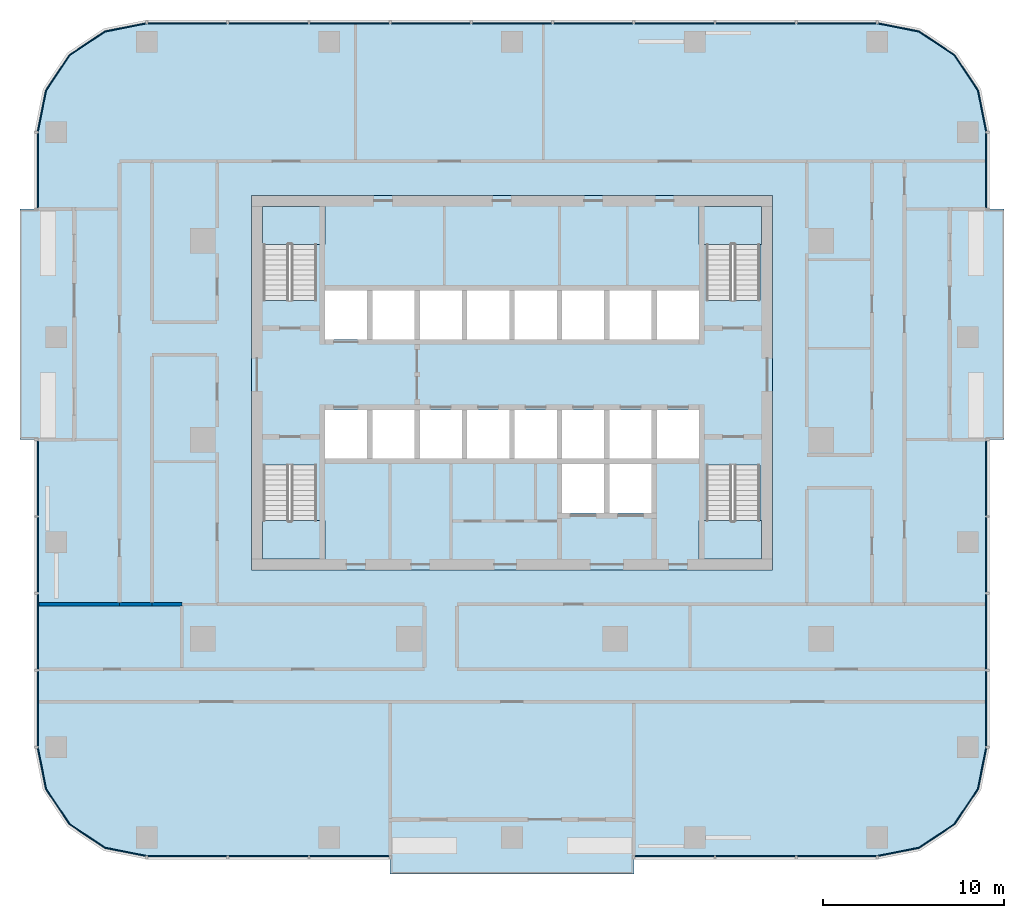
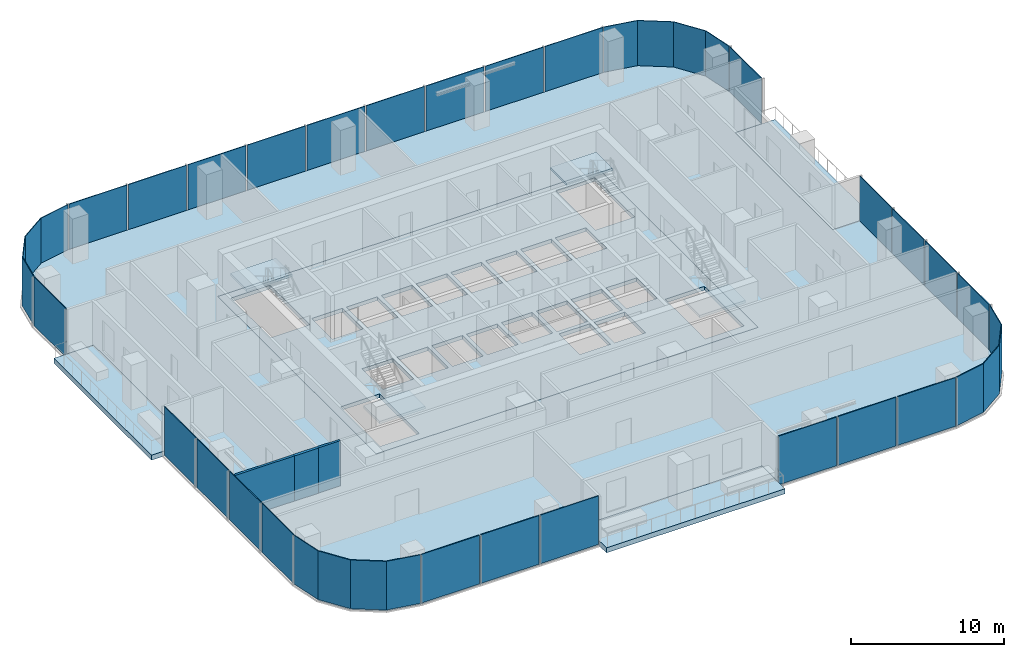
# One storey, part 6 of 15: 29 plates, 9 slabs, 3 walls, 15 elements without a shape of their own.
"""IFC4 building model written with IfcOpenShell, lengths in metres."""

import ifcopenshell
import ifcopenshell.guid

model = None  # the IFC model being written
_history = None  # IfcOwnerHistory: only IFC2X3 demands one
_inside = {}  # id of a spatial element -> (the spatial element, [elements in it])
_under = {}  # id of a project, library or spatial element -> (it, [spatial elements below it])
_declared = {}  # id of a project -> (the project, [libraries it declares])
_typed = {}  # id of a type object -> (the type object, [elements of that type])
_made_of = {}  # id of a material, layer set ... -> (it, [elements and type objects made of it])


def new_model(schema):
    """Start an empty IFC model of exactly this schema.

    Asked for "IFC4X3", IfcOpenShell would pick the latest addendum, in which some entities
    have other attributes; the version numbers below select the first issue.
    IFC2X3 requires an IfcOwnerHistory on every rooted entity: one is made here for all.
    """
    global model, _history
    if schema == "IFC4X3":
        model = ifcopenshell.file(schema_version=(4, 3, 0, 0))
    else:
        model = ifcopenshell.file(schema=schema)
    _inside.clear()
    _under.clear()
    _declared.clear()
    _typed.clear()
    _made_of.clear()
    _history = None
    if model.schema == "IFC2X3":
        org = make("IfcOrganization", Name="unknown")
        user = make(
            "IfcPersonAndOrganization",
            ThePerson=make("IfcPerson", FamilyName="unknown"),
            TheOrganization=org,
        )
        app = make(
            "IfcApplication",
            ApplicationDeveloper=org,
            Version="unknown",
            ApplicationFullName="unknown",
            ApplicationIdentifier="unknown",
        )
        _history = make(
            "IfcOwnerHistory",
            OwningUser=user,
            OwningApplication=app,
            ChangeAction="ADDED",
            CreationDate=0,
        )
    return model


def make(cls, **values):
    """One entity of the class cls with the attributes given. An attribute that is None is left unset."""
    return model.create_entity(
        cls, **{name: value for name, value in values.items() if value is not None}
    )


def rooted(cls, **values):
    """An entity with a GlobalId (a new one), such as an element, a storey or a relation."""
    return make(cls, GlobalId=ifcopenshell.guid.new(), OwnerHistory=_history, **values)


def si_unit(unit_type, name, prefix=None):
    """IfcSIUnit, for example si_unit("LENGTHUNIT", "METRE", prefix="MILLI")."""
    return make("IfcSIUnit", UnitType=unit_type, Prefix=prefix, Name=name)


def assignment(units):
    """IfcUnitAssignment: the units of a project."""
    return None if units is None else make("IfcUnitAssignment", Units=units)


def point(xyz):
    """IfcCartesianPoint."""
    return None if xyz is None else make("IfcCartesianPoint", Coordinates=xyz)


def direction(xyz):
    """IfcDirection."""
    return None if xyz is None else make("IfcDirection", DirectionRatios=xyz)


def frame(location, z_axis=None, x_axis=None):
    """IfcAxis2Placement3D, a coordinate frame: its origin and axes. An axis left out is left unset."""
    return make(
        "IfcAxis2Placement3D",
        Location=point(location),
        Axis=direction(z_axis),
        RefDirection=direction(x_axis),
    )


def frame_2d(location, x_axis=None):
    """IfcAxis2Placement2D, a coordinate frame in the plane: its origin and x axis."""
    return make(
        "IfcAxis2Placement2D", Location=point(location), RefDirection=direction(x_axis)
    )


def origin():
    """The frame at (0, 0, 0) with its axes left unset."""
    return frame((0.0, 0.0, 0.0))


def origin_2d():
    """The frame at (0, 0) in the plane with its x axis left unset."""
    return frame_2d((0.0, 0.0))


def place(relative_to, where):
    """IfcLocalPlacement: puts the frame where relative to a parent placement (None: the world)."""
    return make(
        "IfcLocalPlacement", PlacementRelTo=relative_to, RelativePlacement=where
    )


def context(
    kind, dimensions, precision=None, world=None, true_north=None, identifier=None
):
    """IfcGeometricRepresentationContext, for example the 3D "Model" context."""
    return make(
        "IfcGeometricRepresentationContext",
        ContextIdentifier=identifier,
        ContextType=kind,
        CoordinateSpaceDimension=dimensions,
        Precision=precision,
        WorldCoordinateSystem=world,
        TrueNorth=true_north,
    )


def subcontext(parent, identifier, kind, view, scale=None):
    """IfcGeometricRepresentationSubContext, for example "Body" below "Model"."""
    return make(
        "IfcGeometricRepresentationSubContext",
        ContextIdentifier=identifier,
        ContextType=kind,
        ParentContext=parent,
        TargetScale=scale,
        TargetView=view,
    )


def project(units=None, contexts=None):
    """IfcProject with its units and contexts."""
    return rooted(
        "IfcProject",
        Name="project",
        RepresentationContexts=contexts,
        UnitsInContext=assignment(units),
    )


def spatial(cls, under=None, at=None, **own):
    """A site, building, storey or space (cls), placed at a placement, below another one or the project."""
    s = rooted(cls, ObjectPlacement=at, **own)
    if under is not None:
        _under.setdefault(under.id(), (under, []))[1].append(s)
    return s


def polyline(points):
    """IfcPolyline through the points."""
    return make("IfcPolyline", Points=[point(p) for p in points])


def profile(cls, at=None, kind="AREA", **sizes):
    """A parametric profile (cls). Its sizes go by their IFC names, for example OverallWidth=200.0."""
    return make(cls, ProfileType=kind, Position=at, **sizes)


def rectangle(**sizes):
    """IfcRectangleProfileDef."""
    return profile("IfcRectangleProfileDef", **sizes)


def outline(outer, holes=None, kind="AREA"):
    """IfcArbitraryClosedProfileDef: a profile drawn as a closed curve; with holes, ...WithVoids."""
    if holes is None:
        return make("IfcArbitraryClosedProfileDef", ProfileType=kind, OuterCurve=outer)
    return make(
        "IfcArbitraryProfileDefWithVoids",
        ProfileType=kind,
        OuterCurve=outer,
        InnerCurves=holes,
    )


def extrude(swept, where, along, depth):
    """IfcExtrudedAreaSolid: the profile swept, set in the frame where, extruded along a direction by depth."""
    return make(
        "IfcExtrudedAreaSolid",
        SweptArea=swept,
        Position=where,
        ExtrudedDirection=direction(along),
        Depth=depth,
    )


def shape(context_of_items, identifier, shape_type, items):
    """IfcShapeRepresentation: the items that make up one representation, for example the "Body"."""
    return make(
        "IfcShapeRepresentation",
        ContextOfItems=context_of_items,
        RepresentationIdentifier=identifier,
        RepresentationType=shape_type,
        Items=items,
    )


def material(Name=None, Category=None):
    """IfcMaterial."""
    return make("IfcMaterial", Name=Name, Category=Category)


def layer(
    of_material, thickness, ventilated=None, Name=None, Category=None, Priority=None
):
    """IfcMaterialLayer: one layer of a wall or slab, of a material (None: an air gap)."""
    return make(
        "IfcMaterialLayer",
        Material=of_material,
        LayerThickness=thickness,
        IsVentilated=ventilated,
        Name=Name,
        Category=Category,
        Priority=Priority,
    )


def layer_set(layers, Name=None):
    """IfcMaterialLayerSet."""
    return make("IfcMaterialLayerSet", MaterialLayers=layers, LayerSetName=Name)


def made_of(thing, what):
    """Note that an element or type object is made of a material, layer set ...; save() writes the relation."""
    if what is not None:
        _made_of.setdefault(what.id(), (what, []))[1].append(thing)
    return thing


def type_object(cls, material=None, **own):
    """A type object (cls), such as IfcWallType, which elements share."""
    return made_of(rooted(cls, **own), material)


def element(
    cls,
    number,
    at=None,
    inside=None,
    cuts=None,
    type_object=None,
    material=None,
    context=None,
    identifier="Body",
    shape_type=None,
    held_by="IfcProductDefinitionShape",
    body=None,
    shapes=None,
    **own,
):
    """One element of the class cls, such as IfcWall. Its Tag is "e" and its number.

    at: its placement. inside: the storey or other place that contains it. cuts: it is an
    opening in that element (IfcRelVoidsElement). A single representation is given by context,
    identifier, shape_type and body (its items); several are given by shapes. held_by: the class
    of the entity that holds the representations. save() writes the other relations.
    """
    e = rooted(cls, Tag="e%d" % number, ObjectPlacement=at, **own)
    if body is not None:
        shapes = [shape(context, identifier, shape_type, body)]
    if shapes is not None:
        e.Representation = make(held_by, Representations=shapes)
    if inside is not None:
        _inside.setdefault(inside.id(), (inside, []))[1].append(e)
    if cuts is not None:
        rooted(
            "IfcRelVoidsElement", RelatingBuildingElement=cuts, RelatedOpeningElement=e
        )
    if type_object is not None:
        _typed.setdefault(type_object.id(), (type_object, []))[1].append(e)
    return made_of(e, material)


def aggregate(whole, parts):
    """IfcRelAggregates: a whole, such as a stair, and the parts it consists of."""
    return rooted("IfcRelAggregates", RelatingObject=whole, RelatedObjects=parts)


def save(model, path):
    """Write the relations noted so far, then the file.

    IfcRelAggregates (storeys below a building ...), IfcRelContainedInSpatialStructure (elements
    in a storey), IfcRelDefinesByType, IfcRelAssociatesMaterial and IfcRelDeclares: one each for
    every whole, place, type object, material and project.
    """
    for whole, parts in _under.values():
        aggregate(whole, parts)
    for where, things in _inside.values():
        rooted(
            "IfcRelContainedInSpatialStructure",
            RelatedElements=things,
            RelatingStructure=where,
        )
    for kind, things in _typed.values():
        rooted("IfcRelDefinesByType", RelatedObjects=things, RelatingType=kind)
    for what, things in _made_of.values():
        rooted("IfcRelAssociatesMaterial", RelatedObjects=things, RelatingMaterial=what)
    for by, libraries in _declared.values():
        rooted("IfcRelDeclares", RelatingContext=by, RelatedDefinitions=libraries)
    model.write(path)


model = new_model("IFC4")

# Units and contexts
model_context = context("Model", 3, precision=1e-05, world=origin(), true_north=direction((0.0, 1.0)))
body_context = subcontext(model_context, "Body", "Model", "MODEL_VIEW")
ifc_project = project(units=[si_unit("LENGTHUNIT", "METRE"), si_unit("AREAUNIT", "SQUARE_METRE"), si_unit("VOLUMEUNIT", "CUBIC_METRE"), si_unit("PLANEANGLEUNIT", "RADIAN"), si_unit("MASSUNIT", "GRAM", prefix="KILO")], contexts=[model_context])

# Site, building, storey
site_placement = place(None, origin())
site = spatial("IfcSite", under=ifc_project, at=site_placement, CompositionType="ELEMENT")
building_placement = place(site_placement, origin())
building = spatial("IfcBuilding", under=site, at=building_placement, Name="Mopane Tessera Tower", CompositionType="ELEMENT")
storey_placement = place(building_placement, frame((0.0, 0.0, 177.0)))
storey = spatial("IfcBuildingStorey", under=building, at=storey_placement, Name="L36", CompositionType="ELEMENT", Elevation=177.0)

# Slab
ifc_material_1 = material(Name="Concrete C40/50", Category="concrete")
ifc_layer_1 = layer(ifc_material_1, 0.300048828125)
ifc_layer_set_1 = layer_set([ifc_layer_1], Name="Concrete C40/50")
slab_type_1 = type_object("IfcSlabType", Name="Core floor slab 300 mm", PredefinedType="FLOOR", material=ifc_layer_set_1)
slab_1_placement = place(storey_placement, frame((0.0, 0.0, -0.300048828125)))
element("IfcSlab", 1, at=slab_1_placement, inside=storey, type_object=slab_type_1, Name="L36 core floor slab", PredefinedType="FLOOR", context=body_context, shape_type="SweptSolid", body=[
    extrude(outline(polyline([(-14.39990234375, -7.199951171875), (14.39990234375, -7.199951171875), (14.39990234375, 13.5), (-14.39990234375, 13.5), (-14.39990234375, -7.199951171875)]), holes=[polyline([(-10.35009765625, -1.050048828125), (-8.02490234375, -1.050048828125), (-8.02490234375, 1.64990234375), (-10.35009765625, 1.64990234375), (-10.35009765625, -1.050048828125)]), polyline([(-7.72509765625, -1.050048828125), (-5.39990234375, -1.050048828125), (-5.39990234375, 1.64990234375), (-7.72509765625, 1.64990234375), (-7.72509765625, -1.050048828125)]), polyline([(-5.10009765625, -1.050048828125), (-2.77490234375, -1.050048828125), (-2.77490234375, 1.64990234375), (-5.10009765625, 1.64990234375), (-5.10009765625, -1.050048828125)]), polyline([(-2.47509765625, -1.050048828125), (-0.14990234375, -1.050048828125), (-0.14990234375, 1.64990234375), (-2.47509765625, 1.64990234375), (-2.47509765625, -1.050048828125)]), polyline([(0.14990234375, -1.050048828125), (2.47509765625, -1.050048828125), (2.47509765625, 1.64990234375), (0.14990234375, 1.64990234375), (0.14990234375, -1.050048828125)]), polyline([(2.77490234375, -1.050048828125), (5.10009765625, -1.050048828125), (5.10009765625, 1.64990234375), (2.77490234375, 1.64990234375), (2.77490234375, -1.050048828125)]), polyline([(5.39990234375, -1.050048828125), (7.72509765625, -1.050048828125), (7.72509765625, 1.64990234375), (5.39990234375, 1.64990234375), (5.39990234375, -1.050048828125)]), polyline([(8.02490234375, -1.050048828125), (10.35009765625, -1.050048828125), (10.35009765625, 1.64990234375), (8.02490234375, 1.64990234375), (8.02490234375, -1.050048828125)]), polyline([(-10.35009765625, 5.550048828125), (-8.02490234375, 5.550048828125), (-8.02490234375, 8.25), (-10.35009765625, 8.25), (-10.35009765625, 5.550048828125)]), polyline([(-7.72509765625, 5.550048828125), (-5.39990234375, 5.550048828125), (-5.39990234375, 8.25), (-7.72509765625, 8.25), (-7.72509765625, 5.550048828125)]), polyline([(-5.10009765625, 5.550048828125), (-2.77490234375, 5.550048828125), (-2.77490234375, 8.25), (-5.10009765625, 8.25), (-5.10009765625, 5.550048828125)]), polyline([(-2.47509765625, 5.550048828125), (-0.14990234375, 5.550048828125), (-0.14990234375, 8.25), (-2.47509765625, 8.25), (-2.47509765625, 5.550048828125)]), polyline([(0.14990234375, 5.550048828125), (2.47509765625, 5.550048828125), (2.47509765625, 8.25), (0.14990234375, 8.25), (0.14990234375, 5.550048828125)]), polyline([(2.77490234375, 5.550048828125), (5.10009765625, 5.550048828125), (5.10009765625, 8.25), (2.77490234375, 8.25), (2.77490234375, 5.550048828125)]), polyline([(5.39990234375, 5.550048828125), (7.72509765625, 5.550048828125), (7.72509765625, 8.25), (5.39990234375, 8.25), (5.39990234375, 5.550048828125)]), polyline([(8.02490234375, 5.550048828125), (10.35009765625, 5.550048828125), (10.35009765625, 8.25), (8.02490234375, 8.25), (8.02490234375, 5.550048828125)]), polyline([(2.77490234375, -4.050048828125), (5.10009765625, -4.050048828125), (5.10009765625, -1.35009765625), (2.77490234375, -1.35009765625), (2.77490234375, -4.050048828125)]), polyline([(5.39990234375, -4.050048828125), (7.72509765625, -4.050048828125), (7.72509765625, -1.35009765625), (5.39990234375, -1.35009765625), (5.39990234375, -4.050048828125)]), polyline([(-13.75, -1.405029296875), (-13.75, -6.60009765625), (-10.800048828125, -6.60009765625), (-10.800048828125, -1.405029296875), (-13.75, -1.405029296875)]), polyline([(-10.800048828125, 7.705078125), (-10.800048828125, 12.89990234375), (-13.75, 12.89990234375), (-13.75, 7.705078125), (-10.800048828125, 7.705078125)]), polyline([(10.75, -1.405029296875), (10.75, -6.60009765625), (13.699951171875, -6.60009765625), (13.699951171875, -1.405029296875), (10.75, -1.405029296875)]), polyline([(13.699951171875, 7.705078125), (13.699951171875, 12.89990234375), (10.75, 12.89990234375), (10.75, 7.705078125), (13.699951171875, 7.705078125)])]), origin(), (0.0, 0.0, 1.0), 0.300048828125),
])

# Stair, slab
ifc_material_2 = material(Name="Concrete C50/60", Category="concrete")
stair_type = type_object("IfcStairType", Name="Escape stair 1400 mm, riser 167 mm", PredefinedType="HALF_TURN_STAIR", material=ifc_material_2)
stair_1_placement = place(storey_placement, origin())
stair_1 = element("IfcStair", 2, at=stair_1_placement, inside=storey, type_object=stair_type, Name="L36 Escape stair south-west", PredefinedType="HALF_TURN_STAIR")
ifc_material_3 = material(Name="Concrete C50/60", Category="concrete")
ifc_layer_2 = layer(ifc_material_3, 0.199951171875)
ifc_layer_set_2 = layer_set([ifc_layer_2], Name="Concrete C50/60")
slab_type_2 = type_object("IfcSlabType", Name="Escape stair landing 200 mm", PredefinedType="LANDING", material=ifc_layer_set_2)
slab_2_placement = place(storey_placement, frame((0.0, 0.0, 1.800048828125)))
slab_2 = element("IfcSlab", 3, at=slab_2_placement, type_object=slab_type_2, Name="ST1 landing 1", PredefinedType="LANDING", context=body_context, shape_type="SweptSolid", body=[
    extrude(outline(polyline([(-13.800048828125, -4.47998046875), (-13.800048828125, -6.60009765625), (-10.35009765625, -6.60009765625), (-10.35009765625, -4.47998046875), (-13.800048828125, -4.47998046875)])), origin(), (0.0, 0.0, 1.0), 0.199951171875),
])
aggregate(stair_1, [slab_2])

stair_2_placement = place(storey_placement, origin())
stair_2 = element("IfcStair", 4, at=stair_2_placement, inside=storey, type_object=stair_type, Name="L36 Escape stair north-west", PredefinedType="HALF_TURN_STAIR")
slab_3_placement = place(storey_placement, frame((0.0, 0.0, 1.800048828125)))
slab_3 = element("IfcSlab", 5, at=slab_3_placement, type_object=slab_type_2, Name="ST2 landing 1", PredefinedType="LANDING", context=body_context, shape_type="SweptSolid", body=[
    extrude(outline(polyline([(-10.35009765625, 10.780029296875), (-10.35009765625, 12.89990234375), (-13.800048828125, 12.89990234375), (-13.800048828125, 10.780029296875), (-10.35009765625, 10.780029296875)])), origin(), (0.0, 0.0, 1.0), 0.199951171875),
])
aggregate(stair_2, [slab_3])

stair_3_placement = place(storey_placement, origin())
stair_3 = element("IfcStair", 6, at=stair_3_placement, inside=storey, type_object=stair_type, Name="L36 Escape stair south-east", PredefinedType="HALF_TURN_STAIR")
slab_4_placement = place(storey_placement, frame((0.0, 0.0, 1.800048828125)))
slab_4 = element("IfcSlab", 7, at=slab_4_placement, type_object=slab_type_2, Name="ST3 landing 1", PredefinedType="LANDING", context=body_context, shape_type="SweptSolid", body=[
    extrude(outline(polyline([(10.35009765625, -4.47998046875), (10.35009765625, -6.60009765625), (13.800048828125, -6.60009765625), (13.800048828125, -4.47998046875), (10.35009765625, -4.47998046875)])), origin(), (0.0, 0.0, 1.0), 0.199951171875),
])
aggregate(stair_3, [slab_4])

stair_4_placement = place(storey_placement, origin())
stair_4 = element("IfcStair", 8, at=stair_4_placement, inside=storey, type_object=stair_type, Name="L36 Escape stair north-east", PredefinedType="HALF_TURN_STAIR")
slab_5_placement = place(storey_placement, frame((0.0, 0.0, 1.800048828125)))
slab_5 = element("IfcSlab", 9, at=slab_5_placement, type_object=slab_type_2, Name="ST4 landing 1", PredefinedType="LANDING", context=body_context, shape_type="SweptSolid", body=[
    extrude(outline(polyline([(13.800048828125, 10.780029296875), (13.800048828125, 12.89990234375), (10.35009765625, 12.89990234375), (10.35009765625, 10.780029296875), (13.800048828125, 10.780029296875)])), origin(), (0.0, 0.0, 1.0), 0.199951171875),
])
aggregate(stair_4, [slab_5])

# Slabs
ifc_material_4 = material(Name="Concrete C40/50", Category="concrete")
ifc_layer_3 = layer(ifc_material_4, 0.39990234375)
ifc_layer_set_3 = layer_set([ifc_layer_3], Name="Concrete C40/50")
slab_type_3 = type_object("IfcSlabType", Name="Planted terrace slab 400 mm", PredefinedType="FLOOR", material=ifc_layer_set_3)
slab_6_placement = place(storey_placement, frame((0.0, 0.0, -0.39990234375)))
element("IfcSlab", 10, at=slab_6_placement, inside=storey, type_object=slab_type_3, Name="Terrace slab N1 L36", PredefinedType="FLOOR", context=body_context, shape_type="SweptSolid", body=[
    extrude(outline(polyline([(-27.199951171875, 0.0), (-24.199951171875, 0.0), (-24.199951171875, 12.75), (-27.199951171875, 12.75), (-27.199951171875, 0.0)])), origin(), (0.0, 0.0, 1.0), 0.39990234375),
])
slab_7_placement = place(storey_placement, frame((0.0, 0.0, -0.39990234375)))
element("IfcSlab", 11, at=slab_7_placement, inside=storey, type_object=slab_type_3, Name="Terrace slab N2 L36", PredefinedType="FLOOR", context=body_context, shape_type="SweptSolid", body=[
    extrude(outline(polyline([(6.7333984375, -24.0), (6.7333984375, -21.0), (-6.7333984375, -21.0), (-6.7333984375, -24.0), (6.7333984375, -24.0)])), origin(), (0.0, 0.0, 1.0), 0.39990234375),
])
slab_8_placement = place(storey_placement, frame((0.0, 0.0, -0.39990234375)))
element("IfcSlab", 12, at=slab_8_placement, inside=storey, type_object=slab_type_3, Name="Terrace slab N3 L36", PredefinedType="FLOOR", context=body_context, shape_type="SweptSolid", body=[
    extrude(outline(polyline([(27.199951171875, 12.75), (24.199951171875, 12.75), (24.199951171875, 0.0), (27.199951171875, 0.0), (27.199951171875, 12.75)])), origin(), (0.0, 0.0, 1.0), 0.39990234375),
])
ifc_material_5 = material(Name="Concrete C40/50", Category="concrete")
ifc_layer_4 = layer(ifc_material_5, 0.39990234375)
ifc_layer_set_4 = layer_set([ifc_layer_4], Name="Concrete C40/50")
slab_type_4 = type_object("IfcSlabType", Name="Post-tensioned flat plate 400 mm", PredefinedType="FLOOR", material=ifc_layer_set_4)
slab_9_placement = place(storey_placement, frame((0.0, 0.0, -0.39990234375)))
element("IfcSlab", 13, at=slab_9_placement, inside=storey, type_object=slab_type_4, Name="Floor slab L36", PredefinedType="FLOOR", context=body_context, shape_type="SweptSolid", body=[
    extrude(outline(polyline([(-20.199951171875, -23.0), (-6.7333984375, -23.0), (-6.7333984375, -21.0), (6.7333984375, -21.0), (6.7333984375, -23.0), (20.199951171875, -23.0), (22.49609375, -22.543212890625), (24.442626953125, -21.24267578125), (25.7431640625, -19.296142578125), (26.199951171875, -17.0), (26.199951171875, 0.0), (24.199951171875, 0.0), (24.199951171875, 12.75), (26.199951171875, 12.75), (26.199951171875, 17.0), (25.7431640625, 19.296142578125), (24.442626953125, 21.24267578125), (22.49609375, 22.543212890625), (20.199951171875, 23.0), (-20.199951171875, 23.0), (-22.49609375, 22.543212890625), (-24.442626953125, 21.24267578125), (-25.7431640625, 19.296142578125), (-26.199951171875, 17.0), (-26.199951171875, 12.75), (-24.199951171875, 12.75), (-24.199951171875, 0.0), (-26.199951171875, 0.0), (-26.199951171875, -17.0), (-25.7431640625, -19.296142578125), (-24.442626953125, -21.24267578125), (-22.49609375, -22.543212890625), (-20.199951171875, -23.0)]), holes=[polyline([(14.39990234375, -7.199951171875), (-14.39990234375, -7.199951171875), (-14.39990234375, 13.5), (14.39990234375, 13.5), (14.39990234375, -7.199951171875)])]), origin(), (0.0, 0.0, 1.0), 0.39990234375),
])

# Curtain wall, plates
ifc_material_6 = material(Name="Aluminium frame", Category="aluminium")
curtain_wall_type = type_object("IfcCurtainWallType", Name="Unitised curtain wall", PredefinedType="NOTDEFINED", material=ifc_material_6)
curtain_wall_1_placement = place(storey_placement, origin())
curtain_wall_1 = element("IfcCurtainWall", 14, at=curtain_wall_1_placement, inside=storey, type_object=curtain_wall_type, Name="e:cw:L36:S:0", PredefinedType="NOTDEFINED")
ifc_material_7 = material(Name="Clear laminated glass", Category="glass")
ifc_layer_5 = layer(ifc_material_7, 0.06005859375)
ifc_layer_set_5 = layer_set([ifc_layer_5], Name="Clear laminated glass")
plate_type = type_object("IfcPlateType", Name="Unitised glazed unit", PredefinedType="CURTAIN_PANEL", material=ifc_layer_set_5)
plate_1_placement = place(storey_placement, frame((-17.95556640625, -23.030029296875, -0.280029296875), z_axis=(0.0, 0.0, 1.0), x_axis=(1.0, 0.0, 0.0)))
plate_1 = element("IfcPlate", 15, at=plate_1_placement, type_object=plate_type, Name="e:cw:L36:S:0:pn0", PredefinedType="CURTAIN_PANEL", context=body_context, shape_type="SweptSolid", body=[
    extrude(rectangle(XDim=4.388916015625, YDim=0.06005859375, at=origin_2d()), origin(), (0.0, 0.0, 1.0), 3.8798828125),
])
plate_2_placement = place(storey_placement, frame((-13.466552734375, -23.030029296875, -0.280029296875), z_axis=(0.0, 0.0, 1.0), x_axis=(1.0, 0.0, 0.0)))
plate_2 = element("IfcPlate", 16, at=plate_2_placement, type_object=plate_type, Name="e:cw:L36:S:0:pn1", PredefinedType="CURTAIN_PANEL", context=body_context, shape_type="SweptSolid", body=[
    extrude(rectangle(XDim=4.388916015625, YDim=0.06005859375, at=origin_2d()), origin(), (0.0, 0.0, 1.0), 3.8798828125),
])
plate_3_placement = place(storey_placement, frame((-8.977783203125, -23.030029296875, -0.280029296875), z_axis=(0.0, 0.0, 1.0), x_axis=(1.0, 0.0, 0.0)))
plate_3 = element("IfcPlate", 17, at=plate_3_placement, type_object=plate_type, Name="e:cw:L36:S:0:pn2", PredefinedType="CURTAIN_PANEL", context=body_context, shape_type="SweptSolid", body=[
    extrude(rectangle(XDim=4.388916015625, YDim=0.06005859375, at=origin_2d()), origin(), (0.0, 0.0, 1.0), 3.8798828125),
])
aggregate(curtain_wall_1, [plate_1, plate_2, plate_3])

curtain_wall_2_placement = place(storey_placement, origin())
curtain_wall_2 = element("IfcCurtainWall", 18, at=curtain_wall_2_placement, inside=storey, type_object=curtain_wall_type, Name="e:cw:L36:S:6", PredefinedType="NOTDEFINED")
plate_4_placement = place(storey_placement, frame((8.977783203125, -23.030029296875, -0.280029296875), z_axis=(0.0, 0.0, 1.0), x_axis=(1.0, 0.0, 0.0)))
plate_4 = element("IfcPlate", 19, at=plate_4_placement, type_object=plate_type, Name="e:cw:L36:S:6:pn6", PredefinedType="CURTAIN_PANEL", context=body_context, shape_type="SweptSolid", body=[
    extrude(rectangle(XDim=4.388916015625, YDim=0.06005859375, at=origin_2d()), origin(), (0.0, 0.0, 1.0), 3.8798828125),
])
plate_5_placement = place(storey_placement, frame((13.466552734375, -23.030029296875, -0.280029296875), z_axis=(0.0, 0.0, 1.0), x_axis=(1.0, 0.0, 0.0)))
plate_5 = element("IfcPlate", 20, at=plate_5_placement, type_object=plate_type, Name="e:cw:L36:S:6:pn7", PredefinedType="CURTAIN_PANEL", context=body_context, shape_type="SweptSolid", body=[
    extrude(rectangle(XDim=4.388916015625, YDim=0.06005859375, at=origin_2d()), origin(), (0.0, 0.0, 1.0), 3.8798828125),
])
plate_6_placement = place(storey_placement, frame((17.95556640625, -23.030029296875, -0.280029296875), z_axis=(0.0, 0.0, 1.0), x_axis=(1.0, 0.0, 0.0)))
plate_6 = element("IfcPlate", 21, at=plate_6_placement, type_object=plate_type, Name="e:cw:L36:S:6:pn8", PredefinedType="CURTAIN_PANEL", context=body_context, shape_type="SweptSolid", body=[
    extrude(rectangle(XDim=4.388916015625, YDim=0.06005859375, at=origin_2d()), origin(), (0.0, 0.0, 1.0), 3.8798828125),
])
aggregate(curtain_wall_2, [plate_4, plate_5, plate_6])

# Curtain wall, plate
curtain_wall_3_placement = place(storey_placement, origin())
curtain_wall_3 = element("IfcCurtainWall", 22, at=curtain_wall_3_placement, inside=storey, type_object=curtain_wall_type, Name="e:cw:L36:CS", PredefinedType="NOTDEFINED")
plate_7_placement = place(storey_placement, frame((0.0, 0.0, -0.280029296875)))
plate_7 = element("IfcPlate", 23, at=plate_7_placement, type_object=plate_type, Name="e:cw:L36:CS:pn", PredefinedType="CURTAIN_PANEL", context=body_context, shape_type="SweptSolid", body=[
    extrude(outline(polyline([(20.199951171875, -23.0), (22.49609375, -22.543212890625), (24.442626953125, -21.24267578125), (25.7431640625, -19.296142578125), (26.199951171875, -17.0), (26.260009765625, -17.0), (25.798828125, -19.319091796875), (24.485107421875, -21.28515625), (22.51904296875, -22.5986328125), (20.199951171875, -23.06005859375), (20.199951171875, -23.0)])), origin(), (0.0, 0.0, 1.0), 3.880126953125),
])
aggregate(curtain_wall_3, [plate_7])

# Curtain wall, plates
curtain_wall_4_placement = place(storey_placement, origin())
curtain_wall_4 = element("IfcCurtainWall", 24, at=curtain_wall_4_placement, inside=storey, type_object=curtain_wall_type, Name="e:cw:L36:E:0", PredefinedType="NOTDEFINED")
plate_8_placement = place(storey_placement, frame((26.22998046875, -14.875, -0.280029296875), z_axis=(0.0, 0.0, 1.0), x_axis=(0.0, 1.0, 0.0)))
plate_8 = element("IfcPlate", 25, at=plate_8_placement, type_object=plate_type, Name="e:cw:L36:E:0:pn0", PredefinedType="CURTAIN_PANEL", context=body_context, shape_type="SweptSolid", body=[
    extrude(rectangle(XDim=4.14990234375, YDim=0.06005859375, at=origin_2d()), origin(), (0.0, 0.0, 1.0), 3.8798828125),
])
plate_9_placement = place(storey_placement, frame((26.22998046875, -10.625, -0.280029296875), z_axis=(0.0, 0.0, 1.0), x_axis=(0.0, 1.0, 0.0)))
plate_9 = element("IfcPlate", 26, at=plate_9_placement, type_object=plate_type, Name="e:cw:L36:E:0:pn1", PredefinedType="CURTAIN_PANEL", context=body_context, shape_type="SweptSolid", body=[
    extrude(rectangle(XDim=4.14990234375, YDim=0.06005859375, at=origin_2d()), origin(), (0.0, 0.0, 1.0), 3.8798828125),
])
plate_10_placement = place(storey_placement, frame((26.22998046875, -6.375, -0.280029296875), z_axis=(0.0, 0.0, 1.0), x_axis=(0.0, 1.0, 0.0)))
plate_10 = element("IfcPlate", 27, at=plate_10_placement, type_object=plate_type, Name="e:cw:L36:E:0:pn2", PredefinedType="CURTAIN_PANEL", context=body_context, shape_type="SweptSolid", body=[
    extrude(rectangle(XDim=4.14990234375, YDim=0.06005859375, at=origin_2d()), origin(), (0.0, 0.0, 1.0), 3.8798828125),
])
plate_11_placement = place(storey_placement, frame((26.22998046875, -2.125, -0.280029296875), z_axis=(0.0, 0.0, 1.0), x_axis=(0.0, 1.0, 0.0)))
plate_11 = element("IfcPlate", 28, at=plate_11_placement, type_object=plate_type, Name="e:cw:L36:E:0:pn3", PredefinedType="CURTAIN_PANEL", context=body_context, shape_type="SweptSolid", body=[
    extrude(rectangle(XDim=4.14990234375, YDim=0.06005859375, at=origin_2d()), origin(), (0.0, 0.0, 1.0), 3.8798828125),
])
aggregate(curtain_wall_4, [plate_8, plate_9, plate_10, plate_11])

# Curtain wall, plate
curtain_wall_5_placement = place(storey_placement, origin())
curtain_wall_5 = element("IfcCurtainWall", 29, at=curtain_wall_5_placement, inside=storey, type_object=curtain_wall_type, Name="e:cw:L36:E:7", PredefinedType="NOTDEFINED")
plate_12_placement = place(storey_placement, frame((26.22998046875, 14.875, -0.280029296875), z_axis=(0.0, 0.0, 1.0), x_axis=(0.0, 1.0, 0.0)))
plate_12 = element("IfcPlate", 30, at=plate_12_placement, type_object=plate_type, Name="e:cw:L36:E:7:pn7", PredefinedType="CURTAIN_PANEL", context=body_context, shape_type="SweptSolid", body=[
    extrude(rectangle(XDim=4.14990234375, YDim=0.06005859375, at=origin_2d()), origin(), (0.0, 0.0, 1.0), 3.8798828125),
])
aggregate(curtain_wall_5, [plate_12])

curtain_wall_6_placement = place(storey_placement, origin())
curtain_wall_6 = element("IfcCurtainWall", 31, at=curtain_wall_6_placement, inside=storey, type_object=curtain_wall_type, Name="e:cw:L36:CE", PredefinedType="NOTDEFINED")
plate_13_placement = place(storey_placement, frame((0.0, 0.0, -0.280029296875)))
plate_13 = element("IfcPlate", 32, at=plate_13_placement, type_object=plate_type, Name="e:cw:L36:CE:pn", PredefinedType="CURTAIN_PANEL", context=body_context, shape_type="SweptSolid", body=[
    extrude(outline(polyline([(26.199951171875, 17.0), (25.7431640625, 19.296142578125), (24.442626953125, 21.24267578125), (22.49609375, 22.543212890625), (20.199951171875, 23.0), (20.199951171875, 23.06005859375), (22.51904296875, 22.5986328125), (24.485107421875, 21.28515625), (25.798828125, 19.319091796875), (26.260009765625, 17.0), (26.199951171875, 17.0)])), origin(), (0.0, 0.0, 1.0), 3.880126953125),
])
aggregate(curtain_wall_6, [plate_13])

# Curtain wall, plates
curtain_wall_7_placement = place(storey_placement, origin())
curtain_wall_7 = element("IfcCurtainWall", 33, at=curtain_wall_7_placement, inside=storey, type_object=curtain_wall_type, Name="e:cw:L36:N:0", PredefinedType="NOTDEFINED")
plate_14_placement = place(storey_placement, frame((17.95556640625, 23.030029296875, -0.280029296875), z_axis=(0.0, 0.0, 1.0), x_axis=(-1.0, 0.0, 0.0)))
plate_14 = element("IfcPlate", 34, at=plate_14_placement, type_object=plate_type, Name="e:cw:L36:N:0:pn0", PredefinedType="CURTAIN_PANEL", context=body_context, shape_type="SweptSolid", body=[
    extrude(rectangle(XDim=4.388916015625, YDim=0.06005859375, at=origin_2d()), origin(), (0.0, 0.0, 1.0), 3.8798828125),
])
plate_15_placement = place(storey_placement, frame((13.466552734375, 23.030029296875, -0.280029296875), z_axis=(0.0, 0.0, 1.0), x_axis=(-1.0, 0.0, 0.0)))
plate_15 = element("IfcPlate", 35, at=plate_15_placement, type_object=plate_type, Name="e:cw:L36:N:0:pn1", PredefinedType="CURTAIN_PANEL", context=body_context, shape_type="SweptSolid", body=[
    extrude(rectangle(XDim=4.388916015625, YDim=0.06005859375, at=origin_2d()), origin(), (0.0, 0.0, 1.0), 3.8798828125),
])
plate_16_placement = place(storey_placement, frame((8.977783203125, 23.030029296875, -0.280029296875), z_axis=(0.0, 0.0, 1.0), x_axis=(-1.0, 0.0, 0.0)))
plate_16 = element("IfcPlate", 36, at=plate_16_placement, type_object=plate_type, Name="e:cw:L36:N:0:pn2", PredefinedType="CURTAIN_PANEL", context=body_context, shape_type="SweptSolid", body=[
    extrude(rectangle(XDim=4.388916015625, YDim=0.06005859375, at=origin_2d()), origin(), (0.0, 0.0, 1.0), 3.8798828125),
])
plate_17_placement = place(storey_placement, frame((4.48876953125, 23.030029296875, -0.280029296875), z_axis=(0.0, 0.0, 1.0), x_axis=(-1.0, 0.0, 0.0)))
plate_17 = element("IfcPlate", 37, at=plate_17_placement, type_object=plate_type, Name="e:cw:L36:N:0:pn3", PredefinedType="CURTAIN_PANEL", context=body_context, shape_type="SweptSolid", body=[
    extrude(rectangle(XDim=4.388916015625, YDim=0.06005859375, at=origin_2d()), origin(), (0.0, 0.0, 1.0), 3.8798828125),
])
plate_18_placement = place(storey_placement, frame((0.0, 23.030029296875, -0.280029296875), z_axis=(0.0, 0.0, 1.0), x_axis=(-1.0, 0.0, 0.0)))
plate_18 = element("IfcPlate", 38, at=plate_18_placement, type_object=plate_type, Name="e:cw:L36:N:0:pn4", PredefinedType="CURTAIN_PANEL", context=body_context, shape_type="SweptSolid", body=[
    extrude(rectangle(XDim=4.388916015625, YDim=0.06005859375, at=origin_2d()), origin(), (0.0, 0.0, 1.0), 3.8798828125),
])
plate_19_placement = place(storey_placement, frame((-4.48876953125, 23.030029296875, -0.280029296875), z_axis=(0.0, 0.0, 1.0), x_axis=(-1.0, 0.0, 0.0)))
plate_19 = element("IfcPlate", 39, at=plate_19_placement, type_object=plate_type, Name="e:cw:L36:N:0:pn5", PredefinedType="CURTAIN_PANEL", context=body_context, shape_type="SweptSolid", body=[
    extrude(rectangle(XDim=4.388916015625, YDim=0.06005859375, at=origin_2d()), origin(), (0.0, 0.0, 1.0), 3.8798828125),
])
plate_20_placement = place(storey_placement, frame((-8.977783203125, 23.030029296875, -0.280029296875), z_axis=(0.0, 0.0, 1.0), x_axis=(-1.0, 0.0, 0.0)))
plate_20 = element("IfcPlate", 40, at=plate_20_placement, type_object=plate_type, Name="e:cw:L36:N:0:pn6", PredefinedType="CURTAIN_PANEL", context=body_context, shape_type="SweptSolid", body=[
    extrude(rectangle(XDim=4.388916015625, YDim=0.06005859375, at=origin_2d()), origin(), (0.0, 0.0, 1.0), 3.8798828125),
])
plate_21_placement = place(storey_placement, frame((-13.466552734375, 23.030029296875, -0.280029296875), z_axis=(0.0, 0.0, 1.0), x_axis=(-1.0, 0.0, 0.0)))
plate_21 = element("IfcPlate", 41, at=plate_21_placement, type_object=plate_type, Name="e:cw:L36:N:0:pn7", PredefinedType="CURTAIN_PANEL", context=body_context, shape_type="SweptSolid", body=[
    extrude(rectangle(XDim=4.388916015625, YDim=0.06005859375, at=origin_2d()), origin(), (0.0, 0.0, 1.0), 3.8798828125),
])
plate_22_placement = place(storey_placement, frame((-17.95556640625, 23.030029296875, -0.280029296875), z_axis=(0.0, 0.0, 1.0), x_axis=(-1.0, 0.0, 0.0)))
plate_22 = element("IfcPlate", 42, at=plate_22_placement, type_object=plate_type, Name="e:cw:L36:N:0:pn8", PredefinedType="CURTAIN_PANEL", context=body_context, shape_type="SweptSolid", body=[
    extrude(rectangle(XDim=4.388916015625, YDim=0.06005859375, at=origin_2d()), origin(), (0.0, 0.0, 1.0), 3.8798828125),
])
aggregate(curtain_wall_7, [plate_14, plate_15, plate_16, plate_17, plate_18, plate_19, plate_20, plate_21, plate_22])

# Curtain wall, plate
curtain_wall_8_placement = place(storey_placement, origin())
curtain_wall_8 = element("IfcCurtainWall", 43, at=curtain_wall_8_placement, inside=storey, type_object=curtain_wall_type, Name="e:cw:L36:CN", PredefinedType="NOTDEFINED")
plate_23_placement = place(storey_placement, frame((0.0, 0.0, -0.280029296875)))
plate_23 = element("IfcPlate", 44, at=plate_23_placement, type_object=plate_type, Name="e:cw:L36:CN:pn", PredefinedType="CURTAIN_PANEL", context=body_context, shape_type="SweptSolid", body=[
    extrude(outline(polyline([(-20.199951171875, 23.0), (-22.49609375, 22.543212890625), (-24.442626953125, 21.24267578125), (-25.7431640625, 19.296142578125), (-26.199951171875, 17.0), (-26.260009765625, 17.0), (-25.798828125, 19.319091796875), (-24.485107421875, 21.28515625), (-22.51904296875, 22.5986328125), (-20.199951171875, 23.06005859375), (-20.199951171875, 23.0)])), origin(), (0.0, 0.0, 1.0), 3.880126953125),
])
aggregate(curtain_wall_8, [plate_23])

curtain_wall_9_placement = place(storey_placement, origin())
curtain_wall_9 = element("IfcCurtainWall", 45, at=curtain_wall_9_placement, inside=storey, type_object=curtain_wall_type, Name="e:cw:L36:W:0", PredefinedType="NOTDEFINED")
plate_24_placement = place(storey_placement, frame((-26.22998046875, 14.875, -0.280029296875), z_axis=(0.0, 0.0, 1.0), x_axis=(0.0, -1.0, 0.0)))
plate_24 = element("IfcPlate", 46, at=plate_24_placement, type_object=plate_type, Name="e:cw:L36:W:0:pn0", PredefinedType="CURTAIN_PANEL", context=body_context, shape_type="SweptSolid", body=[
    extrude(rectangle(XDim=4.14990234375, YDim=0.06005859375, at=origin_2d()), origin(), (0.0, 0.0, 1.0), 3.8798828125),
])
aggregate(curtain_wall_9, [plate_24])

# Curtain wall, plates
curtain_wall_10_placement = place(storey_placement, origin())
curtain_wall_10 = element("IfcCurtainWall", 47, at=curtain_wall_10_placement, inside=storey, type_object=curtain_wall_type, Name="e:cw:L36:W:4", PredefinedType="NOTDEFINED")
plate_25_placement = place(storey_placement, frame((-26.22998046875, -2.125, -0.280029296875), z_axis=(0.0, 0.0, 1.0), x_axis=(0.0, -1.0, 0.0)))
plate_25 = element("IfcPlate", 48, at=plate_25_placement, type_object=plate_type, Name="e:cw:L36:W:4:pn4", PredefinedType="CURTAIN_PANEL", context=body_context, shape_type="SweptSolid", body=[
    extrude(rectangle(XDim=4.14990234375, YDim=0.06005859375, at=origin_2d()), origin(), (0.0, 0.0, 1.0), 3.8798828125),
])
plate_26_placement = place(storey_placement, frame((-26.22998046875, -6.375, -0.280029296875), z_axis=(0.0, 0.0, 1.0), x_axis=(0.0, -1.0, 0.0)))
plate_26 = element("IfcPlate", 49, at=plate_26_placement, type_object=plate_type, Name="e:cw:L36:W:4:pn5", PredefinedType="CURTAIN_PANEL", context=body_context, shape_type="SweptSolid", body=[
    extrude(rectangle(XDim=4.14990234375, YDim=0.06005859375, at=origin_2d()), origin(), (0.0, 0.0, 1.0), 3.8798828125),
])
plate_27_placement = place(storey_placement, frame((-26.22998046875, -10.625, -0.280029296875), z_axis=(0.0, 0.0, 1.0), x_axis=(0.0, -1.0, 0.0)))
plate_27 = element("IfcPlate", 50, at=plate_27_placement, type_object=plate_type, Name="e:cw:L36:W:4:pn6", PredefinedType="CURTAIN_PANEL", context=body_context, shape_type="SweptSolid", body=[
    extrude(rectangle(XDim=4.14990234375, YDim=0.06005859375, at=origin_2d()), origin(), (0.0, 0.0, 1.0), 3.8798828125),
])
plate_28_placement = place(storey_placement, frame((-26.22998046875, -14.875, -0.280029296875), z_axis=(0.0, 0.0, 1.0), x_axis=(0.0, -1.0, 0.0)))
plate_28 = element("IfcPlate", 51, at=plate_28_placement, type_object=plate_type, Name="e:cw:L36:W:4:pn7", PredefinedType="CURTAIN_PANEL", context=body_context, shape_type="SweptSolid", body=[
    extrude(rectangle(XDim=4.14990234375, YDim=0.06005859375, at=origin_2d()), origin(), (0.0, 0.0, 1.0), 3.8798828125),
])
aggregate(curtain_wall_10, [plate_25, plate_26, plate_27, plate_28])

# Curtain wall, plate
curtain_wall_11_placement = place(storey_placement, origin())
curtain_wall_11 = element("IfcCurtainWall", 52, at=curtain_wall_11_placement, inside=storey, type_object=curtain_wall_type, Name="e:cw:L36:CW", PredefinedType="NOTDEFINED")
plate_29_placement = place(storey_placement, frame((0.0, 0.0, -0.280029296875)))
plate_29 = element("IfcPlate", 53, at=plate_29_placement, type_object=plate_type, Name="e:cw:L36:CW:pn", PredefinedType="CURTAIN_PANEL", context=body_context, shape_type="SweptSolid", body=[
    extrude(outline(polyline([(-26.199951171875, -17.0), (-25.7431640625, -19.296142578125), (-24.442626953125, -21.24267578125), (-22.49609375, -22.543212890625), (-20.199951171875, -23.0), (-20.199951171875, -23.06005859375), (-22.51904296875, -22.5986328125), (-24.485107421875, -21.28515625), (-25.798828125, -19.319091796875), (-26.260009765625, -17.0), (-26.199951171875, -17.0)])), origin(), (0.0, 0.0, 1.0), 3.880126953125),
])
aggregate(curtain_wall_11, [plate_29])

# Walls
ifc_material_8 = material(Name="Gypsum board on staggered steel studs, double layer each face, acoustic mineral wool infill", Category="steel")
ifc_layer_6 = layer(ifc_material_8, 0.175048828125)
ifc_layer_set_6 = layer_set([ifc_layer_6], Name="Gypsum board on staggered steel studs, double layer each face, acoustic mineral wool infill")
wall_type_1 = type_object("IfcWallType", Name="Gypsum board acoustic partition 175, rated EI 60", PredefinedType="PARTITIONING", material=ifc_layer_set_6)
wall_1_placement = place(storey_placement, frame((-26.14990234375, -9.10009765625, 0.0), z_axis=(0.0, 0.0, 1.0), x_axis=(1.0, 0.0, 0.0)))
element("IfcWall", 54, at=wall_1_placement, inside=storey, type_object=wall_type_1, Name="Partition L36:004", PredefinedType="PARTITIONING", context=body_context, shape_type="SweptSolid", body=[
    extrude(rectangle(XDim=4.449951171875, YDim=0.175048828125, at=frame_2d((2.22509765625, 0.0))), origin(), (0.0, 0.0, 1.0), 3.60009765625),
])
wall_2_placement = place(storey_placement, frame((-19.89990234375, -9.10009765625, 0.0), z_axis=(0.0, 0.0, 1.0), x_axis=(1.0, 0.0, 0.0)))
element("IfcWall", 55, at=wall_2_placement, inside=storey, type_object=wall_type_1, Name="Partition L36:005", PredefinedType="PARTITIONING", context=body_context, shape_type="SweptSolid", body=[
    extrude(rectangle(XDim=1.64501953125, YDim=0.175048828125, at=frame_2d((0.822509765625, 0.0))), origin(), (0.0, 0.0, 1.0), 3.60009765625),
])
ifc_material_9 = material(Name="Gypsum board on steel studs, two layers each face, mineral wool infill", Category="steel")
ifc_layer_7 = layer(ifc_material_9, 0.199951171875)
ifc_layer_set_7 = layer_set([ifc_layer_7], Name="Gypsum board on steel studs, two layers each face, mineral wool infill")
wall_type_2 = type_object("IfcWallType", Name="Gypsum board corridor wall 200, rated EI 60", PredefinedType="PARTITIONING", material=ifc_layer_set_7)
wall_3_placement = place(storey_placement, frame((-21.699951171875, -9.10009765625, 0.0), z_axis=(0.0, 0.0, 1.0), x_axis=(1.0, 0.0, 0.0)))
element("IfcWall", 56, at=wall_3_placement, inside=storey, type_object=wall_type_2, Name="Partition L36:008", PredefinedType="PARTITIONING", context=body_context, shape_type="SweptSolid", body=[
    extrude(rectangle(XDim=1.800048828125, YDim=0.199951171875, at=frame_2d((0.89990234375, 0.0))), origin(), (0.0, 0.0, 1.0), 3.60009765625),
])

save(model, "model.ifc")
